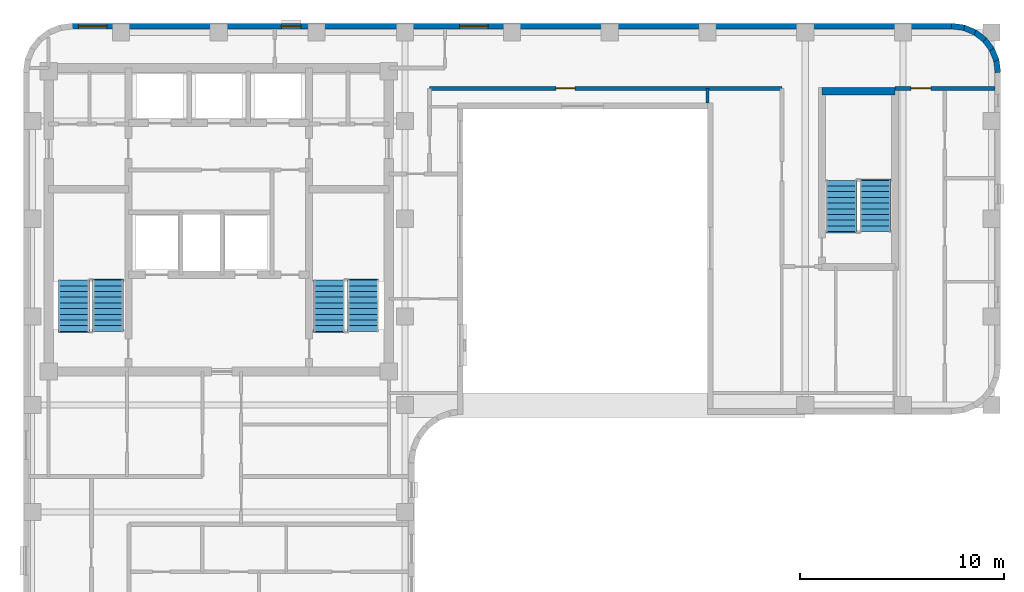
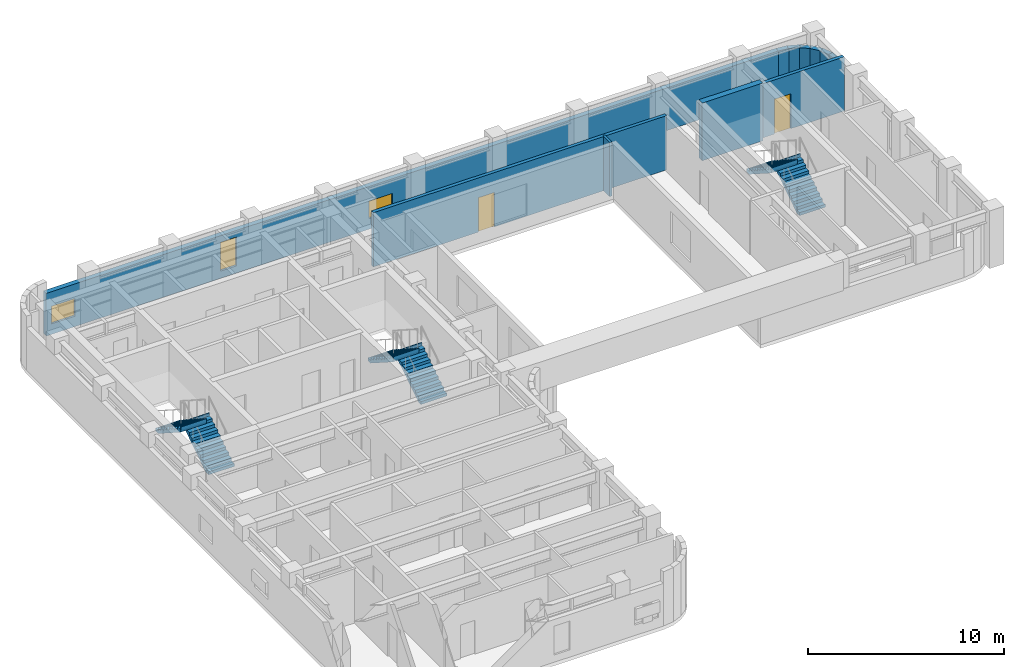
# One storey, part 6 of 8: 11 walls, 6 stair flights, 3 windows, 2 doors, 5 openings, 3 elements without a shape of their own.
"""IFC4 building model written with IfcOpenShell, lengths in metres."""

from ifc_helpers import new_model, si_unit, direction, frame, frame_2d, origin, place, context, subcontext, project, spatial, polyline, rectangle, outline, extrude, material, layer, layer_set, type_object, element, fill, aggregate, save


model = new_model("IFC4")

# Units and contexts
model_context = context("Model", 3, precision=1e-05, world=origin(), true_north=direction((0.0, 1.0)))
body_context = subcontext(model_context, "Body", "Model", "MODEL_VIEW")
ifc_project = project(units=[si_unit("LENGTHUNIT", "METRE"), si_unit("AREAUNIT", "SQUARE_METRE"), si_unit("VOLUMEUNIT", "CUBIC_METRE"), si_unit("PLANEANGLEUNIT", "RADIAN"), si_unit("MASSUNIT", "GRAM", prefix="KILO")], contexts=[model_context])

# Site, building, storey
site_placement = place(None, origin())
site = spatial("IfcSite", under=ifc_project, at=site_placement, CompositionType="ELEMENT")
building_placement = place(site_placement, origin())
building = spatial("IfcBuilding", under=site, at=building_placement, Name="Orvandelia Arch Residences", CompositionType="ELEMENT")
storey_placement = place(building_placement, frame((0.0, 0.0, 203.800048828125)))
storey = spatial("IfcBuildingStorey", under=building, at=storey_placement, Name="L53", CompositionType="ELEMENT", Elevation=203.800048828125)

# Wall
ifc_material_1 = material(Name="Concrete C50/60", Category="concrete")
ifc_layer_1 = layer(ifc_material_1, 0.35009765625, Name="Concrete C50/60", Category="concrete")
ifc_layer_set_1 = layer_set([ifc_layer_1], Name="Concrete C50/60")
wall_type_1 = type_object("IfcWallType", Name="WL-CORE-350", PredefinedType="SHEAR", material=ifc_layer_set_1)
wall_1_placement = place(storey_placement, frame((44.02001953125, 44.659912109375, 0.0), z_axis=(0.0, 0.0, 1.0), x_axis=(1.0, 0.0, 0.0)))
element("IfcWall", 1, at=wall_1_placement, inside=storey, type_object=wall_type_1, Name="East Stair Core Shear Wall L53-N", PredefinedType="SHEAR", context=body_context, shape_type="SweptSolid", body=[
    extrude(rectangle(XDim=3.580078125, YDim=0.35009765625, at=frame_2d((1.7900390625, 0.0))), origin(), (0.0, 0.0, 1.0), 3.599853515625),
])

# Wall, opening, door
ifc_material_2 = material(Name="Fire-Rated Corridor Partition")
ifc_layer_2 = layer(ifc_material_2, 0.199951171875, Name="Fire-Rated Corridor Partition")
ifc_layer_set_2 = layer_set([ifc_layer_2], Name="Fire-Rated Corridor Partition")
wall_type_2 = type_object("IfcWallType", Name="WL-CORR-200", PredefinedType="PARTITIONING", material=ifc_layer_set_2)
wall_2_placement = place(storey_placement, frame((24.75, 44.800048828125, 0.0), z_axis=(0.0, 0.0, 1.0), x_axis=(1.0, 0.0, 0.0)))
wall_2 = element("IfcWall", 2, at=wall_2_placement, inside=storey, type_object=wall_type_2, Name="Interior Partition Wall WL-L53-ENP-S1", PredefinedType="PARTITIONING", context=body_context, shape_type="SweptSolid", body=[
    extrude(rectangle(XDim=17.300048828125, YDim=0.199951171875, at=frame_2d((8.64990234375, 0.0))), origin(), (0.0, 0.0, 1.0), 3.3798828125),
])
opening_1_placement = place(wall_2_placement, frame((6.199951171875, 0.0, 0.0)))
opening_1 = element("IfcOpeningElement", 3, at=opening_1_placement, cuts=wall_2, Name="Opening D2", PredefinedType="OPENING", context=body_context, shape_type="SweptSolid", body=[
    extrude(rectangle(XDim=0.949951171875, YDim=2.14990234375, at=frame_2d((0.47509765625, 1.074951171875))), frame((0.0, 0.10986328125, 0.0), z_axis=(0.0, -1.0, 0.0), x_axis=(1.0, 0.0, 0.0)), (0.0, 0.0, 1.0), 0.219970703125),
])
ifc_material_3 = material(Name="Solid-Core Timber Interior Fire Door", Category="wood")
door_type_1 = type_object("IfcDoorType", Name="DR-APT-950", OperationType="NOTDEFINED", PredefinedType="DOOR", material=ifc_material_3)
door_1_placement = place(opening_1_placement, origin())
door_1 = element("IfcDoor", 4, at=door_1_placement, inside=storey, type_object=door_type_1, Name="DR-L53-VPBRG", OperationType="SINGLE_SWING_LEFT", OverallHeight=2.14990234375, OverallWidth=0.949951171875, PredefinedType="DOOR", context=body_context, shape_type="SweptSolid", body=[
    extrude(rectangle(XDim=0.949951171875, YDim=2.14990234375, at=frame_2d((0.47509765625, 1.074951171875))), frame((0.0, 0.02490234375, 0.0), z_axis=(0.0, -1.0, 0.0), x_axis=(1.0, 0.0, 0.0)), (0.0, 0.0, 1.0), 0.050048828125),
])
fill(opening_1, door_1)

wall_3_placement = place(storey_placement, frame((47.60009765625, 44.800048828125, 0.0), z_axis=(0.0, 0.0, 1.0), x_axis=(1.0, 0.0, 0.0)))
wall_3 = element("IfcWall", 5, at=wall_3_placement, inside=storey, type_object=wall_type_2, Name="Interior Partition Wall WL-L53-ENP-S2", PredefinedType="PARTITIONING", context=body_context, shape_type="SweptSolid", body=[
    extrude(rectangle(XDim=4.919921875, YDim=0.199951171875, at=frame_2d((2.4599609375, 0.0))), origin(), (0.0, 0.0, 1.0), 3.3798828125),
])
opening_2_placement = place(wall_3_placement, frame((0.79150390625, 0.0, 0.0)))
opening_2 = element("IfcOpeningElement", 6, at=opening_2_placement, cuts=wall_3, Name="Opening D1", PredefinedType="OPENING", context=body_context, shape_type="SweptSolid", body=[
    extrude(rectangle(XDim=0.97998046875, YDim=2.179931640625, at=frame_2d((0.489990234375, 1.08984375))), frame((0.0, 0.10986328125, 0.0), z_axis=(0.0, -1.0, 0.0), x_axis=(1.0, 0.0, 0.0)), (0.0, 0.0, 1.0), 0.219970703125),
])
ifc_material_4 = material(Name="Solid-Core Timber Acoustic Fire Door", Category="wood")
door_type_2 = type_object("IfcDoorType", Name="DR-ENT-980", OperationType="NOTDEFINED", PredefinedType="DOOR", material=ifc_material_4)
door_2_placement = place(opening_2_placement, origin())
door_2 = element("IfcDoor", 7, at=door_2_placement, inside=storey, type_object=door_type_2, Name="Unit L53-03 Entrance Door", OperationType="SINGLE_SWING_LEFT", OverallHeight=2.179931640625, OverallWidth=0.97998046875, PredefinedType="DOOR", context=body_context, shape_type="SweptSolid", body=[
    extrude(rectangle(XDim=0.97998046875, YDim=2.179931640625, at=frame_2d((0.489990234375, 1.08984375))), frame((0.0, 0.02490234375, 0.0), z_axis=(0.0, -1.0, 0.0), x_axis=(1.0, 0.0, 0.0)), (0.0, 0.0, 1.0), 0.050048828125),
])
fill(opening_2, door_2)

# Wall, openings, windows
ifc_material_5 = material(Name="Precast concrete C40/50", Category="concrete")
ifc_layer_3 = layer(ifc_material_5, 0.280029296875, Name="Precast concrete C40/50", Category="concrete")
ifc_layer_set_3 = layer_set([ifc_layer_3], Name="Precast concrete C40/50")
wall_type_3 = type_object("IfcWallType", Name="WL-EXT-STONE-280", PredefinedType="STANDARD", material=ifc_layer_set_3)
wall_4_placement = place(storey_placement, frame((7.199951171875, 47.860107421875, 0.0), z_axis=(0.0, 0.0, 1.0), x_axis=(1.0, 0.0, 0.0)))
wall_4 = element("IfcWall", 8, at=wall_4_placement, inside=storey, type_object=wall_type_3, Name="Coral-Limestone Precast Facade Wall L53-007", PredefinedType="STANDARD", context=body_context, shape_type="SweptSolid", body=[
    extrude(rectangle(XDim=43.199951171875, YDim=0.280029296875, at=frame_2d((21.60009765625, 0.0))), origin(), (0.0, 0.0, 1.0), 2.659912109375),
])
opening_3_placement = place(wall_4_placement, frame((19.027587890625, 0.0, 0.64990234375)))
opening_3 = element("IfcOpeningElement", 9, at=opening_3_placement, cuts=wall_4, Name="Opening W10", PredefinedType="OPENING", context=body_context, shape_type="SweptSolid", body=[
    extrude(rectangle(XDim=1.39990234375, YDim=1.10009765625, at=frame_2d((0.699951171875, 0.550048828125))), frame((0.0, 0.14990234375, 0.0), z_axis=(0.0, -1.0, 0.0), x_axis=(1.0, 0.0, 0.0)), (0.0, 0.0, 1.0), 0.300048828125),
])
opening_4_placement = place(wall_4_placement, frame((0.3076171875, 0.0, 0.64990234375)))
opening_4 = element("IfcOpeningElement", 10, at=opening_4_placement, cuts=wall_4, Name="Opening W10", PredefinedType="OPENING", context=body_context, shape_type="SweptSolid", body=[
    extrude(rectangle(XDim=1.39990234375, YDim=1.10009765625, at=frame_2d((0.699951171875, 0.550048828125))), frame((0.0, 0.14990234375, 0.0), z_axis=(0.0, -1.0, 0.0), x_axis=(1.0, 0.0, 0.0)), (0.0, 0.0, 1.0), 0.300048828125),
])
opening_5_placement = place(wall_4_placement, frame((10.277587890625, 0.0, 0.449951171875)))
opening_5 = element("IfcOpeningElement", 11, at=opening_5_placement, cuts=wall_4, Name="Opening W4", PredefinedType="OPENING", context=body_context, shape_type="SweptSolid", body=[
    extrude(rectangle(XDim=0.949951171875, YDim=1.800048828125, at=frame_2d((0.47509765625, 0.89990234375))), frame((0.0, 0.14990234375, 0.0), z_axis=(0.0, -1.0, 0.0), x_axis=(1.0, 0.0, 0.0)), (0.0, 0.0, 1.0), 0.300048828125),
])
ifc_material_6 = material(Name="Tempered Low-E Insulated Glazing", Category="glass")
window_type_1 = type_object("IfcWindowType", Name="WIN-CLR-1400x1100", PartitioningType="SINGLE_PANEL", PredefinedType="WINDOW", material=ifc_material_6)
window_1_placement = place(opening_3_placement, origin())
window_1 = element("IfcWindow", 12, at=window_1_placement, inside=storey, type_object=window_type_1, Name="Recessed Punched Window L53-001", OverallHeight=1.10009765625, OverallWidth=1.39990234375, PartitioningType="SINGLE_PANEL", PredefinedType="WINDOW", context=body_context, shape_type="SweptSolid", body=[
    extrude(rectangle(XDim=1.39990234375, YDim=1.10009765625, at=frame_2d((0.699951171875, 0.550048828125))), frame((0.0, 0.030029296875, 0.0), z_axis=(0.0, -1.0, 0.0), x_axis=(1.0, 0.0, 0.0)), (0.0, 0.0, 1.0), 0.06005859375),
])
fill(opening_3, window_1)
window_2_placement = place(opening_4_placement, origin())
window_2 = element("IfcWindow", 13, at=window_2_placement, inside=storey, type_object=window_type_1, Name="Recessed Punched Window L53-002", OverallHeight=1.10009765625, OverallWidth=1.39990234375, PartitioningType="SINGLE_PANEL", PredefinedType="WINDOW", context=body_context, shape_type="SweptSolid", body=[
    extrude(rectangle(XDim=1.39990234375, YDim=1.10009765625, at=frame_2d((0.699951171875, 0.550048828125))), frame((0.0, 0.030029296875, 0.0), z_axis=(0.0, -1.0, 0.0), x_axis=(1.0, 0.0, 0.0)), (0.0, 0.0, 1.0), 0.06005859375),
])
fill(opening_4, window_2)
window_type_2 = type_object("IfcWindowType", Name="WIN-RES-0950x1800", PartitioningType="SINGLE_PANEL", PredefinedType="WINDOW", material=ifc_material_6)
window_3_placement = place(opening_5_placement, origin())
window_3 = element("IfcWindow", 14, at=window_3_placement, inside=storey, type_object=window_type_2, Name="Recessed Punched Window L53-003", OverallHeight=1.800048828125, OverallWidth=0.949951171875, PartitioningType="SINGLE_PANEL", PredefinedType="WINDOW", context=body_context, shape_type="SweptSolid", body=[
    extrude(rectangle(XDim=0.949951171875, YDim=1.800048828125, at=frame_2d((0.47509765625, 0.89990234375))), frame((0.0, 0.030029296875, 0.0), z_axis=(0.0, -1.0, 0.0), x_axis=(1.0, 0.0, 0.0)), (0.0, 0.0, 1.0), 0.06005859375),
])
fill(opening_5, window_3)

# Walls
wall_5_placement = place(storey_placement, frame((50.381591796875, 47.861083984375, 0.0), z_axis=(0.0, 0.0, 1.0), x_axis=(0.991447664465, -0.130504898859, 0.0)))
element("IfcWall", 15, at=wall_5_placement, inside=storey, type_object=wall_type_3, Name="Coral-Limestone Precast Facade Wall L53-008", PredefinedType="STANDARD", context=body_context, shape_type="SweptSolid", body=[
    extrude(rectangle(XDim=0.626708984375, YDim=0.280029296875, at=frame_2d((0.3134765625, 0.0))), origin(), (0.0, 0.0, 1.0), 2.659912109375),
])
for number, where, z_axis, x_axis, name in (
    (16, (50.967529296875, 47.788818359375, 0.0), (0.0, 0.0, 1.0), (0.924031075431, -0.382317370307, 0.0), "Coral-Limestone Precast Facade Wall L53-009"),
    (17, (51.514892578125, 47.5673828125, 0.0), (0.0, 0.0, 1.0), (0.793405610854, -0.608693302629, 0.0), "Coral-Limestone Precast Facade Wall L53-010"),
    (18, (51.986083984375, 47.2119140625, 0.0), (0.0, 0.0, 1.0), (0.608693302629, -0.793405610854, 0.0), "Coral-Limestone Precast Facade Wall L53-011"),
    (19, (52.34912109375, 46.746337890625, 0.0), (0.0, 0.0, 1.0), (0.382650053678, -0.92389335771, 0.0), "Coral-Limestone Precast Facade Wall L53-012"),
    (20, (52.579345703125, 46.202880859375, 0.0), (0.0, 0.0, 1.0), (0.130555323746, -0.9914410257, 0.0), "Coral-Limestone Precast Facade Wall L53-013"),
):
    element("IfcWall", number, at=place(storey_placement, frame(where, z_axis=z_axis, x_axis=x_axis)), inside=storey, type_object=wall_type_3, Name=name, PredefinedType="STANDARD", context=body_context, shape_type="SweptSolid", body=[
        extrude(rectangle(XDim=0.62646484375, YDim=0.280029296875, at=frame_2d((0.313232421875, 0.0))), origin(), (0.0, 0.0, 1.0), 2.659912109375),
    ])
ifc_material_7 = material(Name="Acoustic Gypsum Stud Partition")
ifc_layer_4 = layer(ifc_material_7, 0.14990234375, Name="Acoustic Gypsum Stud Partition")
ifc_layer_set_4 = layer_set([ifc_layer_4], Name="Acoustic Gypsum Stud Partition")
wall_type_4 = type_object("IfcWallType", Name="WL-PART-150", PredefinedType="PARTITIONING", material=ifc_layer_set_4)
wall_6_placement = place(storey_placement, frame((38.39990234375, 44.080078125, 0.0), z_axis=(0.0, 0.0, 1.0), x_axis=(0.0, 1.0, 0.0)))
element("IfcWall", 21, at=wall_6_placement, inside=storey, type_object=wall_type_4, Name="Interior Partition Wall WL-L53-VPBRG-E", PredefinedType="PARTITIONING", context=body_context, shape_type="SweptSolid", body=[
    extrude(rectangle(XDim=0.719970703125, YDim=0.14990234375, at=frame_2d((0.35986328125, 0.0))), origin(), (0.0, 0.0, 1.0), 3.3798828125),
])

# Stair, stair flights
ifc_material_8 = material(Name="Concrete C40/50", Category="concrete")
stair_type = type_object("IfcStairType", Name="STAIR-RC-DOGLEG", PredefinedType="HALF_TURN_STAIR", material=ifc_material_8)
stair_1_placement = place(storey_placement, origin())
stair_1 = element("IfcStair", 22, at=stair_1_placement, inside=storey, type_object=stair_type, Name="L53 Protected Exit Stair ST-1", PredefinedType="HALF_TURN_STAIR")
stair_flight_type = type_object("IfcStairFlightType", Name="STFLT-RC-1520", PredefinedType="STRAIGHT", material=ifc_material_8)
stair_flight_1_placement = place(storey_placement, frame((8.9599609375, 32.8701171875, 0.0), z_axis=(0.0, 0.0, 1.0), x_axis=(0.0, 1.0, 0.0)))
stair_flight_1 = element("IfcStairFlight", 23, at=stair_flight_1_placement, type_object=stair_flight_type, Name="ST-1 flight 1", NumberOfRisers=10, NumberOfTreads=9, PredefinedType="STRAIGHT", RiserHeight=0.18, TreadLength=0.28, context=body_context, shape_type="SweptSolid", body=[
    extrude(outline(polyline([(0.0, 0.0), (0.0, 0.179931640625), (0.280029296875, 0.179931640625), (0.280029296875, 0.360107421875), (0.56005859375, 0.360107421875), (0.56005859375, 0.5400390625), (0.840087890625, 0.5400390625), (0.840087890625, 0.719970703125), (1.1201171875, 0.719970703125), (1.1201171875, 0.89990234375), (1.39990234375, 0.89990234375), (1.39990234375, 1.080078125), (1.679931640625, 1.080078125), (1.679931640625, 1.260009765625), (1.9599609375, 1.260009765625), (1.9599609375, 1.43994140625), (2.239990234375, 1.43994140625), (2.239990234375, 1.6201171875), (2.52001953125, 1.6201171875), (2.52001953125, 1.800048828125), (2.580078125, 1.800048828125), (2.580078125, 1.6201171875), (2.52001953125, 1.44189453125), (0.277099609375, 0.0), (0.0, 0.0)])), frame((0.0, 0.760009765625, 0.0), z_axis=(0.0, -1.0, 0.0), x_axis=(1.0, 0.0, 0.0)), (0.0, 0.0, 1.0), 1.52001953125),
])
stair_flight_2_placement = place(storey_placement, frame((7.2900390625, 35.389892578125, 1.800048828125), z_axis=(0.0, 0.0, 1.0), x_axis=(0.0, -1.0, 0.0)))
stair_flight_2 = element("IfcStairFlight", 24, at=stair_flight_2_placement, type_object=stair_flight_type, Name="ST-1 flight 2", NumberOfRisers=10, NumberOfTreads=9, PredefinedType="STRAIGHT", RiserHeight=0.18, TreadLength=0.28, context=body_context, shape_type="SweptSolid", body=[
    extrude(outline(polyline([(0.0, 0.0), (0.0, 0.179931640625), (0.280029296875, 0.179931640625), (0.280029296875, 0.360107421875), (0.56005859375, 0.360107421875), (0.56005859375, 0.5400390625), (0.840087890625, 0.5400390625), (0.840087890625, 0.719970703125), (1.1201171875, 0.719970703125), (1.1201171875, 0.89990234375), (1.39990234375, 0.89990234375), (1.39990234375, 1.080078125), (1.679931640625, 1.080078125), (1.679931640625, 1.260009765625), (1.9599609375, 1.260009765625), (1.9599609375, 1.43994140625), (2.239990234375, 1.43994140625), (2.239990234375, 1.6201171875), (2.52001953125, 1.6201171875), (2.52001953125, 1.800048828125), (2.580078125, 1.800048828125), (2.580078125, 1.6201171875), (2.52001953125, 1.44189453125), (0.277099609375, 0.0), (0.0, 0.0)])), frame((0.0, 0.760009765625, 0.0), z_axis=(0.0, -1.0, 0.0), x_axis=(1.0, 0.0, 0.0)), (0.0, 0.0, 1.0), 1.52001953125),
])
aggregate(stair_1, [stair_flight_1, stair_flight_2])

stair_2_placement = place(storey_placement, origin())
stair_2 = element("IfcStair", 25, at=stair_2_placement, inside=storey, type_object=stair_type, Name="L53 Protected Exit Stair ST-2", PredefinedType="HALF_TURN_STAIR")
stair_flight_3_placement = place(storey_placement, frame((21.489990234375, 32.8701171875, 0.0), z_axis=(0.0, 0.0, 1.0), x_axis=(0.0, 1.0, 0.0)))
stair_flight_3 = element("IfcStairFlight", 26, at=stair_flight_3_placement, type_object=stair_flight_type, Name="ST-2 flight 1", NumberOfRisers=10, NumberOfTreads=9, PredefinedType="STRAIGHT", RiserHeight=0.18, TreadLength=0.28, context=body_context, shape_type="SweptSolid", body=[
    extrude(outline(polyline([(0.0, 0.0), (0.0, 0.179931640625), (0.280029296875, 0.179931640625), (0.280029296875, 0.360107421875), (0.56005859375, 0.360107421875), (0.56005859375, 0.5400390625), (0.840087890625, 0.5400390625), (0.840087890625, 0.719970703125), (1.1201171875, 0.719970703125), (1.1201171875, 0.89990234375), (1.39990234375, 0.89990234375), (1.39990234375, 1.080078125), (1.679931640625, 1.080078125), (1.679931640625, 1.260009765625), (1.9599609375, 1.260009765625), (1.9599609375, 1.43994140625), (2.239990234375, 1.43994140625), (2.239990234375, 1.6201171875), (2.52001953125, 1.6201171875), (2.52001953125, 1.800048828125), (2.580078125, 1.800048828125), (2.580078125, 1.6201171875), (2.52001953125, 1.44189453125), (0.277099609375, 0.0), (0.0, 0.0)])), frame((0.0, 0.760009765625, 0.0), z_axis=(0.0, -1.0, 0.0), x_axis=(1.0, 0.0, 0.0)), (0.0, 0.0, 1.0), 1.52001953125),
])
stair_flight_4_placement = place(storey_placement, frame((19.820068359375, 35.389892578125, 1.800048828125), z_axis=(0.0, 0.0, 1.0), x_axis=(0.0, -1.0, 0.0)))
stair_flight_4 = element("IfcStairFlight", 27, at=stair_flight_4_placement, type_object=stair_flight_type, Name="ST-2 flight 2", NumberOfRisers=10, NumberOfTreads=9, PredefinedType="STRAIGHT", RiserHeight=0.18, TreadLength=0.28, context=body_context, shape_type="SweptSolid", body=[
    extrude(outline(polyline([(0.0, 0.0), (0.0, 0.179931640625), (0.280029296875, 0.179931640625), (0.280029296875, 0.360107421875), (0.56005859375, 0.360107421875), (0.56005859375, 0.5400390625), (0.840087890625, 0.5400390625), (0.840087890625, 0.719970703125), (1.1201171875, 0.719970703125), (1.1201171875, 0.89990234375), (1.39990234375, 0.89990234375), (1.39990234375, 1.080078125), (1.679931640625, 1.080078125), (1.679931640625, 1.260009765625), (1.9599609375, 1.260009765625), (1.9599609375, 1.43994140625), (2.239990234375, 1.43994140625), (2.239990234375, 1.6201171875), (2.52001953125, 1.6201171875), (2.52001953125, 1.800048828125), (2.580078125, 1.800048828125), (2.580078125, 1.6201171875), (2.52001953125, 1.44189453125), (0.277099609375, 0.0), (0.0, 0.0)])), frame((0.0, 0.760009765625, 0.0), z_axis=(0.0, -1.0, 0.0), x_axis=(1.0, 0.0, 0.0)), (0.0, 0.0, 1.0), 1.52001953125),
])
aggregate(stair_2, [stair_flight_3, stair_flight_4])

stair_3_placement = place(storey_placement, origin())
stair_3 = element("IfcStair", 28, at=stair_3_placement, inside=storey, type_object=stair_type, Name="L53 East Wing Exit Stair ST-3", PredefinedType="HALF_TURN_STAIR")
stair_flight_5_placement = place(storey_placement, frame((46.639892578125, 37.77001953125, 0.0), z_axis=(0.0, 0.0, 1.0), x_axis=(0.0, 1.0, 0.0)))
stair_flight_5 = element("IfcStairFlight", 29, at=stair_flight_5_placement, type_object=stair_flight_type, Name="ST-3 flight 1", NumberOfRisers=10, NumberOfTreads=9, PredefinedType="STRAIGHT", RiserHeight=0.18, TreadLength=0.28, context=body_context, shape_type="SweptSolid", body=[
    extrude(outline(polyline([(0.0, 0.0), (0.0, 0.179931640625), (0.280029296875, 0.179931640625), (0.280029296875, 0.360107421875), (0.56005859375, 0.360107421875), (0.56005859375, 0.5400390625), (0.840087890625, 0.5400390625), (0.840087890625, 0.719970703125), (1.1201171875, 0.719970703125), (1.1201171875, 0.89990234375), (1.39990234375, 0.89990234375), (1.39990234375, 1.080078125), (1.679931640625, 1.080078125), (1.679931640625, 1.260009765625), (1.9599609375, 1.260009765625), (1.9599609375, 1.43994140625), (2.239990234375, 1.43994140625), (2.239990234375, 1.6201171875), (2.52001953125, 1.6201171875), (2.52001953125, 1.800048828125), (2.580078125, 1.800048828125), (2.580078125, 1.6201171875), (2.52001953125, 1.44189453125), (0.277099609375, 0.0), (0.0, 0.0)])), frame((0.0, 0.760009765625, 0.0), z_axis=(0.0, -1.0, 0.0), x_axis=(1.0, 0.0, 0.0)), (0.0, 0.0, 1.0), 1.52001953125),
])
stair_flight_6_placement = place(storey_placement, frame((44.969970703125, 40.2900390625, 1.800048828125), z_axis=(0.0, 0.0, 1.0), x_axis=(0.0, -1.0, 0.0)))
stair_flight_6 = element("IfcStairFlight", 30, at=stair_flight_6_placement, type_object=stair_flight_type, Name="ST-3 flight 2", NumberOfRisers=10, NumberOfTreads=9, PredefinedType="STRAIGHT", RiserHeight=0.18, TreadLength=0.28, context=body_context, shape_type="SweptSolid", body=[
    extrude(outline(polyline([(0.0, 0.0), (0.0, 0.179931640625), (0.280029296875, 0.179931640625), (0.280029296875, 0.360107421875), (0.56005859375, 0.360107421875), (0.56005859375, 0.5400390625), (0.840087890625, 0.5400390625), (0.840087890625, 0.719970703125), (1.1201171875, 0.719970703125), (1.1201171875, 0.89990234375), (1.39990234375, 0.89990234375), (1.39990234375, 1.080078125), (1.679931640625, 1.080078125), (1.679931640625, 1.260009765625), (1.9599609375, 1.260009765625), (1.9599609375, 1.43994140625), (2.239990234375, 1.43994140625), (2.239990234375, 1.6201171875), (2.52001953125, 1.6201171875), (2.52001953125, 1.800048828125), (2.580078125, 1.800048828125), (2.580078125, 1.6201171875), (2.52001953125, 1.44189453125), (0.277099609375, 0.0), (0.0, 0.0)])), frame((0.0, 0.760009765625, 0.0), z_axis=(0.0, -1.0, 0.0), x_axis=(1.0, 0.0, 0.0)), (0.0, 0.0, 1.0), 1.52001953125),
])
aggregate(stair_3, [stair_flight_5, stair_flight_6])

save(model, "model.ifc")
